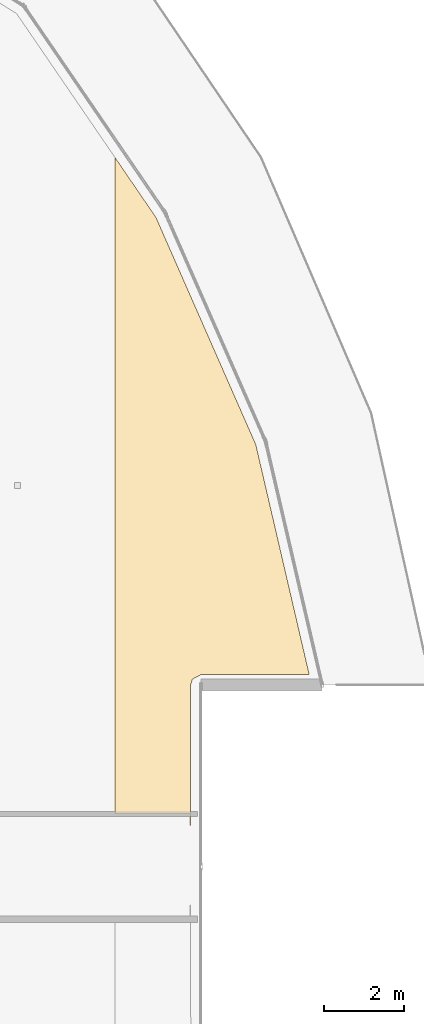
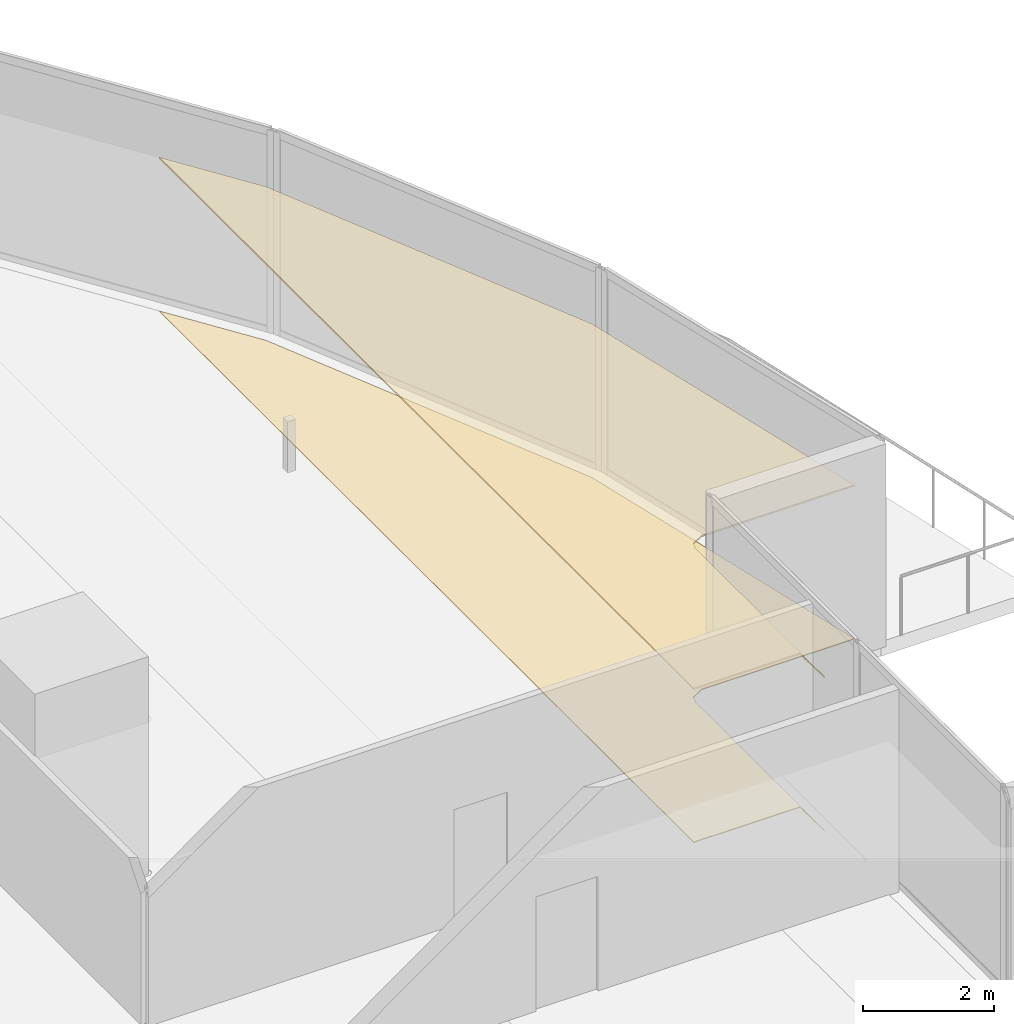
# One storey, part 36 of 36: 2 coverings.
"""IFC4 building model written with IfcOpenShell, lengths in metres."""

from ifc_helpers import new_model, si_unit, direction, frame, origin, place, context, subcontext, project, spatial, polyline, outline, extrude, material, layer, layer_set, type_object, element, save


model = new_model("IFC4")

# Units and contexts
model_context = context("Model", 3, precision=1e-05, world=origin(), true_north=direction((0.0, 1.0)))
body_context = subcontext(model_context, "Body", "Model", "MODEL_VIEW")
ifc_project = project(units=[si_unit("LENGTHUNIT", "METRE"), si_unit("AREAUNIT", "SQUARE_METRE"), si_unit("VOLUMEUNIT", "CUBIC_METRE"), si_unit("PLANEANGLEUNIT", "RADIAN"), si_unit("MASSUNIT", "GRAM", prefix="KILO")], contexts=[model_context])

# Site, building, storey
site_placement = place(None, origin())
site = spatial("IfcSite", under=ifc_project, at=site_placement, CompositionType="ELEMENT")
building_placement = place(site_placement, origin())
building = spatial("IfcBuilding", under=site, at=building_placement, Name="Qorvath Tower", CompositionType="ELEMENT")
storey_placement = place(building_placement, frame((0.0, 0.0, 192.89990234375)))
storey = spatial("IfcBuildingStorey", under=building, at=storey_placement, Name="L44", CompositionType="ELEMENT", Elevation=192.89990234375)

# Coverings
ifc_material_1 = material(Name="Acoustic mineral fibre ceiling tile", Category="gypsum")
ifc_layer_1 = layer(ifc_material_1, 0.030029296875)
ifc_layer_set_1 = layer_set([ifc_layer_1], Name="COV-CEIL")
covering_type_1 = type_object("IfcCoveringType", Name="COV-CEIL", PredefinedType="CEILING", material=ifc_layer_set_1)
covering_1_placement = place(storey_placement, frame((0.0, 0.0, 2.85009765625)))
element("IfcCovering", 1, at=covering_1_placement, inside=storey, type_object=covering_type_1, Name="L44 Suspended Acoustic Ceiling 023", PredefinedType="CEILING", context=body_context, shape_type="SweptSolid", body=[
    extrude(outline(polyline([(1.363037109375, 4.77490234375), (0.03466796875, 10.492919921875), (-2.446533203125, 16.139404296875), (-3.47021484375, 17.63623046875), (-3.47021484375, 1.31298828125), (-1.60107421875, 1.31298828125), (-1.583984375, 0.594482421875), (-1.583984375, 4.519775390625), (-1.541748046875, 4.66015625), (-1.3291015625, 4.77490234375), (1.363037109375, 4.77490234375)])), origin(), (0.0, 0.0, 1.0), 0.030029296875),
])
ifc_material_2 = material(Name="Low-VOC modular carpet tile", Category="textile")
ifc_layer_2 = layer(ifc_material_2, 0.014892578125)
ifc_layer_set_2 = layer_set([ifc_layer_2], Name="COV-FLOOR-CPT")
covering_type_2 = type_object("IfcCoveringType", Name="COV-FLOOR-CPT", PredefinedType="FLOORING", material=ifc_layer_set_2)
covering_2_placement = place(storey_placement, origin())
element("IfcCovering", 2, at=covering_2_placement, inside=storey, type_object=covering_type_2, Name="L44 Floor Finish 023", PredefinedType="FLOORING", context=body_context, shape_type="SweptSolid", body=[
    extrude(outline(polyline([(1.363037109375, 4.77490234375), (0.03466796875, 10.492919921875), (-2.446533203125, 16.139404296875), (-3.47021484375, 17.63623046875), (-3.47021484375, 1.31298828125), (-1.60107421875, 1.31298828125), (-1.583984375, 0.594482421875), (-1.583984375, 4.519775390625), (-1.541748046875, 4.66015625), (-1.3291015625, 4.77490234375), (1.363037109375, 4.77490234375)])), origin(), (0.0, 0.0, 1.0), 0.01513671875),
])

save(model, "model.ifc")
